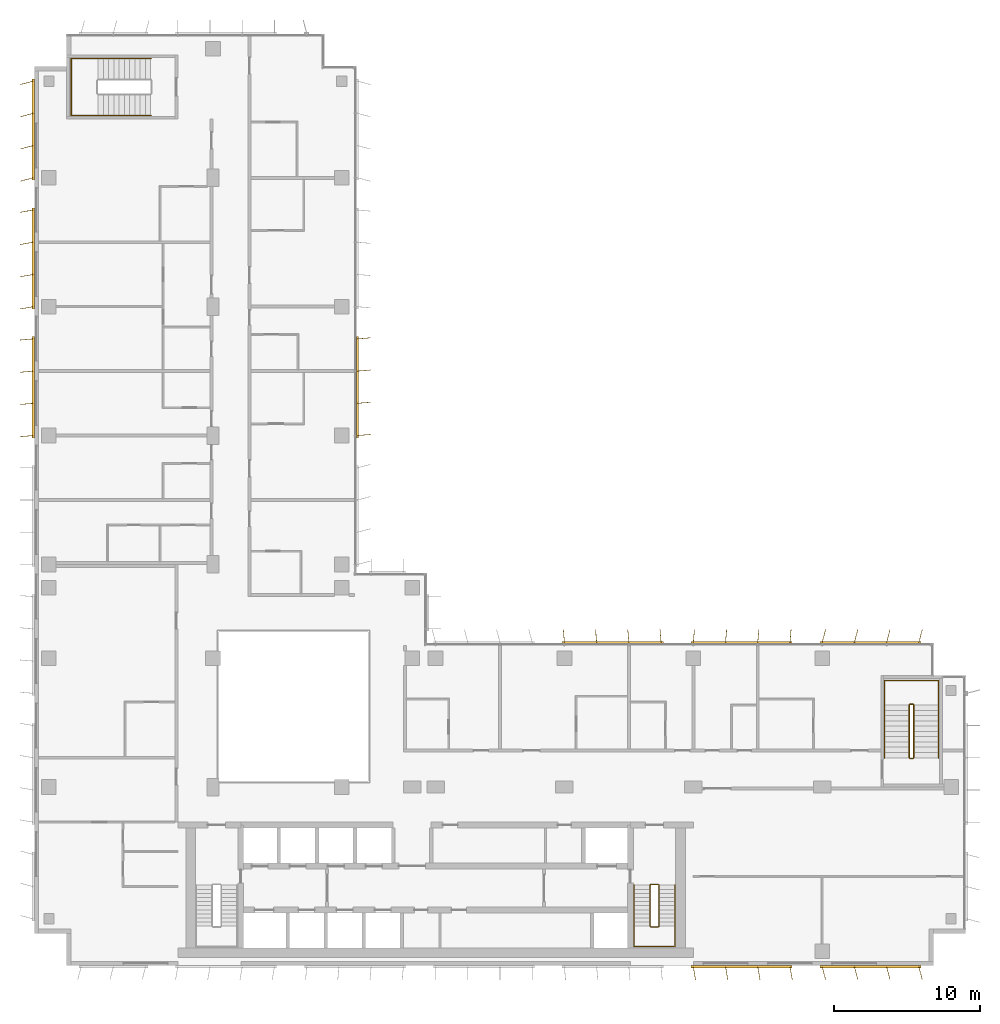
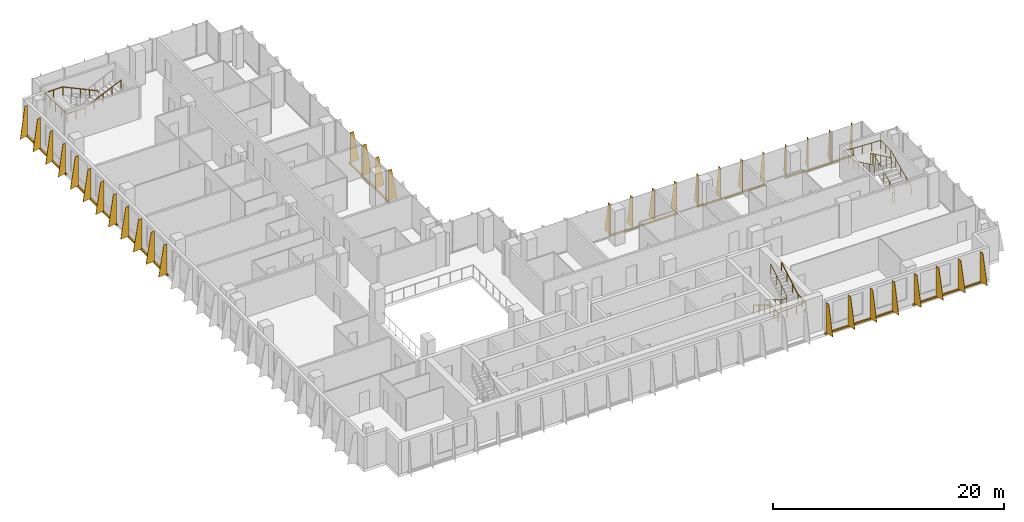
# One storey, part 20 of 21: 9 shading devices, 5 railings.
"""IFC4 building model written with IfcOpenShell, lengths in metres."""

from ifc_helpers import new_model, si_unit, direction, frame, origin, origin_2d, place, context, subcontext, project, spatial, polyline, rectangle, circle, outline, extrude, source, transform, mapped, material, layer, layer_set, type_object, element, save


model = new_model("IFC4")

# Units and contexts
model_context = context("Model", 3, precision=1e-05, world=origin(), true_north=direction((0.0, 1.0)))
body_context = subcontext(model_context, "Body", "Model", "MODEL_VIEW")
ifc_project = project(units=[si_unit("LENGTHUNIT", "METRE"), si_unit("AREAUNIT", "SQUARE_METRE"), si_unit("VOLUMEUNIT", "CUBIC_METRE"), si_unit("PLANEANGLEUNIT", "RADIAN"), si_unit("MASSUNIT", "GRAM", prefix="KILO")], contexts=[model_context])

# Site, building, storey
site_placement = place(None, origin())
site = spatial("IfcSite", under=ifc_project, at=site_placement, CompositionType="ELEMENT")
building_placement = place(site_placement, origin())
building = spatial("IfcBuilding", under=site, at=building_placement, Name="Kemantara Hotel Tower", CompositionType="ELEMENT")
storey_placement = place(building_placement, frame((0.0, 0.0, 179.0)))
storey = spatial("IfcBuildingStorey", under=building, at=storey_placement, Name="L44", CompositionType="ELEMENT", Elevation=179.0)

# Railings
ifc_material_1 = material(Name="Stainless steel balustrade", Category="steel")
railing_type_1 = type_object("IfcRailingType", Name="Stair guard 1100 mm", PredefinedType="GUARDRAIL", material=ifc_material_1)
railing_1_placement = place(storey_placement, frame((42.64990234375, 5.5, 3.699951171875)))
element("IfcRailing", 1, at=railing_1_placement, inside=storey, type_object=railing_type_1, Name="L44 ST2 stair guard 1", PredefinedType="GUARDRAIL", context=body_context, shape_type="SweptSolid", body=[
    extrude(circle(Radius=0.02392578125, at=origin_2d()), frame((0.0, 0.0, 1.076171875), z_axis=(0.0, -0.857242210791, -0.514913383045), x_axis=(1.0, 0.0, 0.0)), (0.0, 0.0, 1.0), 3.266357421875),
    extrude(circle(Radius=0.02392578125, at=origin_2d()), frame((0.0, -2.800048828125, -0.60595703125), z_axis=(-0.273343290215, -0.274683208305, -0.921863645432), x_axis=(0.708833529934, -0.705375805398, 0.0)), (0.0, 0.0, 1.0), 0.18212890625),
    extrude(circle(Radius=0.02392578125, at=origin_2d()), frame((-0.0498046875, -2.85009765625, -0.77392578125), z_axis=(-1.0, 0.0, 0.0), x_axis=(0.0, -1.0, 0.0)), (0.0, 0.0, 1.0), 0.5),
    extrude(circle(Radius=0.02392578125, at=origin_2d()), frame((-0.5498046875, -2.85009765625, -0.77392578125), z_axis=(-0.707106781187, 0.707106781187, 0.0), x_axis=(-0.707106781187, -0.707106781187, 0.0)), (0.0, 0.0, 1.0), 0.07080078125),
    extrude(circle(Radius=0.02392578125, at=origin_2d()), frame((-0.599853515625, -2.800048828125, -0.77392578125), z_axis=(0.0, 0.857242210791, -0.514913383045), x_axis=(-1.0, 0.0, 0.0)), (0.0, 0.0, 1.0), 3.266357421875),
    extrude(circle(Radius=0.02392578125, at=origin_2d()), frame((-0.599853515625, 0.0, -2.45556640625), z_axis=(0.274243871929, 0.274243871929, -0.92172696468), x_axis=(-0.707106781187, 0.707106781187, 0.0)), (0.0, 0.0, 1.0), 0.1826171875),
    extrude(circle(Radius=0.02392578125, at=origin_2d()), frame((-0.5498046875, 0.050048828125, -2.6240234375), z_axis=(1.0, 0.0, 0.0), x_axis=(0.0, 1.0, 0.0)), (0.0, 0.0, 1.0), 0.5),
    extrude(circle(Radius=0.02099609375, at=origin_2d()), origin(), (0.0, 0.0, 1.0), 1.052001953125),
    extrude(circle(Radius=0.02099609375, at=origin_2d()), frame((0.0, -0.933349609375, -0.560546875)), (0.0, 0.0, 1.0), 1.052001953125),
    extrude(circle(Radius=0.02099609375, at=origin_2d()), frame((0.0, -1.86669921875, -1.121337890625)), (0.0, 0.0, 1.0), 1.052001953125),
    extrude(circle(Radius=0.02099609375, at=origin_2d()), frame((0.0, -2.800048828125, -1.681884765625)), (0.0, 0.0, 1.0), 1.052001953125),
    extrude(circle(Radius=0.02099609375, at=origin_2d()), frame((-0.0498046875, -2.85009765625, -1.849853515625)), (0.0, 0.0, 1.0), 1.052001953125),
    extrude(circle(Radius=0.02099609375, at=origin_2d()), frame((-0.5498046875, -2.85009765625, -1.849853515625)), (0.0, 0.0, 1.0), 1.052001953125),
    extrude(circle(Radius=0.02099609375, at=origin_2d()), frame((-0.599853515625, -2.800048828125, -1.849853515625)), (0.0, 0.0, 1.0), 1.052001953125),
    extrude(circle(Radius=0.02099609375, at=origin_2d()), frame((-0.599853515625, -1.86669921875, -2.410400390625)), (0.0, 0.0, 1.0), 1.052001953125),
    extrude(circle(Radius=0.02099609375, at=origin_2d()), frame((-0.599853515625, -0.933349609375, -2.97119140625)), (0.0, 0.0, 1.0), 1.052001953125),
    extrude(circle(Radius=0.02099609375, at=origin_2d()), frame((-0.599853515625, 0.0, -3.53173828125)), (0.0, 0.0, 1.0), 1.052001953125),
    extrude(circle(Radius=0.02099609375, at=origin_2d()), frame((-0.5498046875, 0.050048828125, -3.699951171875)), (0.0, 0.0, 1.0), 1.052001953125),
    extrude(circle(Radius=0.02099609375, at=origin_2d()), frame((-0.0498046875, 0.050048828125, -3.699951171875)), (0.0, 0.0, 1.0), 1.052001953125),
])
railing_2_placement = place(storey_placement, frame((59.75, 14.199951171875, 3.699951171875)))
element("IfcRailing", 2, at=railing_2_placement, inside=storey, type_object=railing_type_1, Name="L44 ST3 stair guard 1", PredefinedType="GUARDRAIL", context=body_context, shape_type="SweptSolid", body=[
    extrude(circle(Radius=0.02392578125, at=origin_2d()), frame((0.0, 0.0, 1.076171875), z_axis=(0.0, 0.906005689286, -0.423265508849), x_axis=(-1.0, 0.0, 0.0)), (0.0, 0.0, 1.0), 3.9736328125),
    extrude(circle(Radius=0.02392578125, at=origin_2d()), frame((0.0, 3.60009765625, -0.60595703125), z_axis=(0.274582412415, 0.274582412415, -0.921525364591), x_axis=(-0.707106781187, 0.707106781187, 0.0)), (0.0, 0.0, 1.0), 0.182373046875),
    extrude(circle(Radius=0.02392578125, at=origin_2d()), frame((0.050048828125, 3.650146484375, -0.77392578125), z_axis=(1.0, 0.0, 0.0), x_axis=(0.0, 1.0, 0.0)), (0.0, 0.0, 1.0), 0.199951171875),
    extrude(circle(Radius=0.02392578125, at=origin_2d()), frame((0.25, 3.650146484375, -0.77392578125), z_axis=(0.707106781187, -0.707106781187, 0.0), x_axis=(0.707106781187, 0.707106781187, 0.0)), (0.0, 0.0, 1.0), 0.07080078125),
    extrude(circle(Radius=0.02392578125, at=origin_2d()), frame((0.300048828125, 3.60009765625, -0.77392578125), z_axis=(0.0, -0.906005689286, -0.423265508849), x_axis=(1.0, 0.0, 0.0)), (0.0, 0.0, 1.0), 3.9736328125),
    extrude(circle(Radius=0.02392578125, at=origin_2d()), frame((0.300048828125, 0.0, -2.45556640625), z_axis=(-0.274243871929, -0.274243871929, -0.92172696468), x_axis=(0.707106781187, -0.707106781187, 0.0)), (0.0, 0.0, 1.0), 0.1826171875),
    extrude(circle(Radius=0.02392578125, at=origin_2d()), frame((0.25, -0.050048828125, -2.6240234375), z_axis=(-1.0, 0.0, 0.0), x_axis=(0.0, -1.0, 0.0)), (0.0, 0.0, 1.0), 0.199951171875),
    extrude(circle(Radius=0.02099609375, at=origin_2d()), origin(), (0.0, 0.0, 1.0), 1.052001953125),
    extrude(circle(Radius=0.02099609375, at=origin_2d()), frame((0.0, 0.89990234375, -0.42041015625)), (0.0, 0.0, 1.0), 1.052001953125),
    extrude(circle(Radius=0.02099609375, at=origin_2d()), frame((0.0, 1.800048828125, -0.8408203125)), (0.0, 0.0, 1.0), 1.052001953125),
    extrude(circle(Radius=0.02099609375, at=origin_2d()), frame((0.0, 2.7001953125, -1.261474609375)), (0.0, 0.0, 1.0), 1.052001953125),
    extrude(circle(Radius=0.02099609375, at=origin_2d()), frame((0.0, 3.60009765625, -1.681884765625)), (0.0, 0.0, 1.0), 1.052001953125),
    extrude(circle(Radius=0.02099609375, at=origin_2d()), frame((0.050048828125, 3.650146484375, -1.849853515625)), (0.0, 0.0, 1.0), 1.052001953125),
    extrude(circle(Radius=0.02099609375, at=origin_2d()), frame((0.25, 3.650146484375, -1.849853515625)), (0.0, 0.0, 1.0), 1.052001953125),
    extrude(circle(Radius=0.02099609375, at=origin_2d()), frame((0.300048828125, 3.60009765625, -1.849853515625)), (0.0, 0.0, 1.0), 1.052001953125),
    extrude(circle(Radius=0.02099609375, at=origin_2d()), frame((0.300048828125, 2.7001953125, -2.270263671875)), (0.0, 0.0, 1.0), 1.052001953125),
    extrude(circle(Radius=0.02099609375, at=origin_2d()), frame((0.300048828125, 1.800048828125, -2.69091796875)), (0.0, 0.0, 1.0), 1.052001953125),
    extrude(circle(Radius=0.02099609375, at=origin_2d()), frame((0.300048828125, 0.89990234375, -3.111328125)), (0.0, 0.0, 1.0), 1.052001953125),
    extrude(circle(Radius=0.02099609375, at=origin_2d()), frame((0.300048828125, 0.0, -3.53173828125)), (0.0, 0.0, 1.0), 1.052001953125),
    extrude(circle(Radius=0.02099609375, at=origin_2d()), frame((0.25, -0.050048828125, -3.699951171875)), (0.0, 0.0, 1.0), 1.052001953125),
    extrude(circle(Radius=0.02099609375, at=origin_2d()), frame((0.050048828125, -0.050048828125, -3.699951171875)), (0.0, 0.0, 1.0), 1.052001953125),
])
railing_type_2 = type_object("IfcRailingType", Name="Stair handrail 900 mm", PredefinedType="HANDRAIL", material=ifc_material_1)
railing_3_placement = place(storey_placement, frame((40.949951171875, 5.5, 0.168212890625)))
element("IfcRailing", 3, at=railing_3_placement, inside=storey, type_object=railing_type_2, Name="L44 ST2 stair handrail 1", PredefinedType="HANDRAIL", context=body_context, shape_type="SweptSolid", body=[
    extrude(circle(Radius=0.02392578125, at=origin_2d()), frame((0.0, 0.0, 0.8759765625), z_axis=(0.0, -0.857242210791, 0.514913383045), x_axis=(1.0, 0.0, 0.0)), (0.0, 0.0, 1.0), 3.266357421875),
    extrude(circle(Radius=0.02392578125, at=origin_2d()), frame((0.0, -2.800048828125, 2.5576171875), z_axis=(0.0, -1.0, 0.0), x_axis=(1.0, 0.0, 0.0)), (0.0, 0.0, 1.0), 1.3798828125),
    extrude(circle(Radius=0.02392578125, at=origin_2d()), frame((0.0, -4.179931640625, 2.5576171875), z_axis=(0.998205573864, 0.0, 0.059880149518), x_axis=(0.0, 1.0, 0.0)), (0.0, 0.0, 1.0), 2.80517578125),
    extrude(circle(Radius=0.02392578125, at=origin_2d()), frame((2.800048828125, -4.179931640625, 2.7255859375), z_axis=(0.0, 1.0, 0.0), x_axis=(-1.0, 0.0, 0.0)), (0.0, 0.0, 1.0), 1.3798828125),
    extrude(circle(Radius=0.02392578125, at=origin_2d()), frame((2.800048828125, -2.800048828125, 2.7255859375), z_axis=(0.0, 0.857242210791, 0.514913383045), x_axis=(-1.0, 0.0, 0.0)), (0.0, 0.0, 1.0), 3.266357421875),
    extrude(circle(Radius=0.02099609375, at=origin_2d()), origin(), (0.0, 0.0, 1.0), 0.851806640625),
    extrude(circle(Radius=0.02099609375, at=origin_2d()), frame((0.0, -0.933349609375, 0.560546875)), (0.0, 0.0, 1.0), 0.851806640625),
    extrude(circle(Radius=0.02099609375, at=origin_2d()), frame((0.0, -1.86669921875, 1.121337890625)), (0.0, 0.0, 1.0), 0.851806640625),
    extrude(circle(Radius=0.02099609375, at=origin_2d()), frame((0.0, -2.800048828125, 1.681884765625)), (0.0, 0.0, 1.0), 0.851806640625),
    extrude(circle(Radius=0.02099609375, at=origin_2d()), frame((0.0, -3.489990234375, 1.681884765625)), (0.0, 0.0, 1.0), 0.851806640625),
    extrude(circle(Radius=0.02099609375, at=origin_2d()), frame((0.0, -4.179931640625, 1.681884765625)), (0.0, 0.0, 1.0), 0.851806640625),
    extrude(circle(Radius=0.02099609375, at=origin_2d()), frame((0.933349609375, -4.179931640625, 1.73779296875)), (0.0, 0.0, 1.0), 0.851806640625),
    extrude(circle(Radius=0.02099609375, at=origin_2d()), frame((1.86669921875, -4.179931640625, 1.7939453125)), (0.0, 0.0, 1.0), 0.851806640625),
    extrude(circle(Radius=0.02099609375, at=origin_2d()), frame((2.800048828125, -4.179931640625, 1.849853515625)), (0.0, 0.0, 1.0), 0.851806640625),
    extrude(circle(Radius=0.02099609375, at=origin_2d()), frame((2.800048828125, -3.489990234375, 1.849853515625)), (0.0, 0.0, 1.0), 0.851806640625),
    extrude(circle(Radius=0.02099609375, at=origin_2d()), frame((2.800048828125, -2.800048828125, 1.849853515625)), (0.0, 0.0, 1.0), 0.851806640625),
    extrude(circle(Radius=0.02099609375, at=origin_2d()), frame((2.800048828125, -1.86669921875, 2.410400390625)), (0.0, 0.0, 1.0), 0.851806640625),
    extrude(circle(Radius=0.02099609375, at=origin_2d()), frame((2.800048828125, -0.933349609375, 2.97119140625)), (0.0, 0.0, 1.0), 0.851806640625),
    extrude(circle(Radius=0.02099609375, at=origin_2d()), frame((2.800048828125, 0.0, 3.53173828125)), (0.0, 0.0, 1.0), 0.851806640625),
])
railing_4_placement = place(storey_placement, frame((61.75, 14.199951171875, 0.168212890625)))
element("IfcRailing", 4, at=railing_4_placement, inside=storey, type_object=railing_type_2, Name="L44 ST3 stair handrail 1", PredefinedType="HANDRAIL", context=body_context, shape_type="SweptSolid", body=[
    extrude(circle(Radius=0.02392578125, at=origin_2d()), frame((0.0, 0.0, 0.8759765625), z_axis=(0.0, 0.906005689286, 0.423265508849), x_axis=(-1.0, 0.0, 0.0)), (0.0, 0.0, 1.0), 3.9736328125),
    extrude(circle(Radius=0.02392578125, at=origin_2d()), frame((0.0, 3.60009765625, 2.5576171875), z_axis=(0.0, 1.0, 0.0), x_axis=(-1.0, 0.0, 0.0)), (0.0, 0.0, 1.0), 1.679931640625),
    extrude(circle(Radius=0.02392578125, at=origin_2d()), frame((0.0, 5.280029296875, 2.5576171875), z_axis=(-0.998971120908, 0.0, 0.045350849963), x_axis=(0.0, -1.0, 0.0)), (0.0, 0.0, 1.0), 3.703857421875),
    extrude(circle(Radius=0.02392578125, at=origin_2d()), frame((-3.699951171875, 5.280029296875, 2.7255859375), z_axis=(0.0, -1.0, 0.0), x_axis=(1.0, 0.0, 0.0)), (0.0, 0.0, 1.0), 1.679931640625),
    extrude(circle(Radius=0.02392578125, at=origin_2d()), frame((-3.699951171875, 3.60009765625, 2.7255859375), z_axis=(0.0, -0.906005689286, 0.423265508849), x_axis=(1.0, 0.0, 0.0)), (0.0, 0.0, 1.0), 3.9736328125),
    extrude(circle(Radius=0.02099609375, at=origin_2d()), origin(), (0.0, 0.0, 1.0), 0.851806640625),
    extrude(circle(Radius=0.02099609375, at=origin_2d()), frame((0.0, 0.89990234375, 0.42041015625)), (0.0, 0.0, 1.0), 0.851806640625),
    extrude(circle(Radius=0.02099609375, at=origin_2d()), frame((0.0, 1.800048828125, 0.8408203125)), (0.0, 0.0, 1.0), 0.851806640625),
    extrude(circle(Radius=0.02099609375, at=origin_2d()), frame((0.0, 2.7001953125, 1.261474609375)), (0.0, 0.0, 1.0), 0.851806640625),
    extrude(circle(Radius=0.02099609375, at=origin_2d()), frame((0.0, 3.60009765625, 1.681884765625)), (0.0, 0.0, 1.0), 0.851806640625),
    extrude(circle(Radius=0.02099609375, at=origin_2d()), frame((0.0, 4.43994140625, 1.681884765625)), (0.0, 0.0, 1.0), 0.851806640625),
    extrude(circle(Radius=0.02099609375, at=origin_2d()), frame((0.0, 5.280029296875, 1.681884765625)), (0.0, 0.0, 1.0), 0.851806640625),
    extrude(circle(Radius=0.02099609375, at=origin_2d()), frame((-0.925048828125, 5.280029296875, 1.723876953125)), (0.0, 0.0, 1.0), 0.851806640625),
    extrude(circle(Radius=0.02099609375, at=origin_2d()), frame((-1.85009765625, 5.280029296875, 1.765869140625)), (0.0, 0.0, 1.0), 0.851806640625),
    extrude(circle(Radius=0.02099609375, at=origin_2d()), frame((-2.77490234375, 5.280029296875, 1.807861328125)), (0.0, 0.0, 1.0), 0.851806640625),
    extrude(circle(Radius=0.02099609375, at=origin_2d()), frame((-3.699951171875, 5.280029296875, 1.849853515625)), (0.0, 0.0, 1.0), 0.851806640625),
    extrude(circle(Radius=0.02099609375, at=origin_2d()), frame((-3.699951171875, 4.43994140625, 1.849853515625)), (0.0, 0.0, 1.0), 0.851806640625),
    extrude(circle(Radius=0.02099609375, at=origin_2d()), frame((-3.699951171875, 3.60009765625, 1.849853515625)), (0.0, 0.0, 1.0), 0.851806640625),
    extrude(circle(Radius=0.02099609375, at=origin_2d()), frame((-3.699951171875, 2.7001953125, 2.270263671875)), (0.0, 0.0, 1.0), 0.851806640625),
    extrude(circle(Radius=0.02099609375, at=origin_2d()), frame((-3.699951171875, 1.800048828125, 2.69091796875)), (0.0, 0.0, 1.0), 0.851806640625),
    extrude(circle(Radius=0.02099609375, at=origin_2d()), frame((-3.699951171875, 0.89990234375, 3.111328125)), (0.0, 0.0, 1.0), 0.851806640625),
    extrude(circle(Radius=0.02099609375, at=origin_2d()), frame((-3.699951171875, 0.0, 3.53173828125)), (0.0, 0.0, 1.0), 0.851806640625),
])
railing_5_placement = place(storey_placement, frame((7.949951171875, 61.949951171875, 0.168212890625)))
element("IfcRailing", 5, at=railing_5_placement, inside=storey, type_object=railing_type_2, Name="L44 ST4 stair handrail 1", PredefinedType="HANDRAIL", context=body_context, shape_type="SweptSolid", body=[
    extrude(circle(Radius=0.02392578125, at=origin_2d()), frame((0.0, 0.0, 0.8759765625), z_axis=(-0.905994681025, 0.0, 0.423289071386), x_axis=(0.0, -1.0, 0.0)), (0.0, 0.0, 1.0), 3.973388671875),
    extrude(circle(Radius=0.02392578125, at=origin_2d()), frame((-3.599853515625, 0.0, 2.5576171875), z_axis=(-1.0, 0.0, 0.0), x_axis=(0.0, -1.0, 0.0)), (0.0, 0.0, 1.0), 1.830078125),
    extrude(circle(Radius=0.02392578125, at=origin_2d()), frame((-5.429931640625, 0.0, 2.5576171875), z_axis=(0.0, -0.999073776461, 0.043030096294), x_axis=(1.0, 0.0, 0.0)), (0.0, 0.0, 1.0), 3.903564453125),
    extrude(circle(Radius=0.02392578125, at=origin_2d()), frame((-5.429931640625, -3.89990234375, 2.7255859375), z_axis=(1.0, 0.0, 0.0), x_axis=(0.0, 1.0, 0.0)), (0.0, 0.0, 1.0), 1.830078125),
    extrude(circle(Radius=0.02392578125, at=origin_2d()), frame((-3.599853515625, -3.89990234375, 2.7255859375), z_axis=(0.905994681025, 0.0, 0.423289071386), x_axis=(0.0, 1.0, 0.0)), (0.0, 0.0, 1.0), 3.973388671875),
    extrude(circle(Radius=0.02099609375, at=origin_2d()), origin(), (0.0, 0.0, 1.0), 0.851806640625),
    extrude(circle(Radius=0.02099609375, at=origin_2d()), frame((-0.89990234375, 0.0, 0.42041015625)), (0.0, 0.0, 1.0), 0.851806640625),
    extrude(circle(Radius=0.02099609375, at=origin_2d()), frame((-1.7998046875, 0.0, 0.8408203125)), (0.0, 0.0, 1.0), 0.851806640625),
    extrude(circle(Radius=0.02099609375, at=origin_2d()), frame((-2.699951171875, 0.0, 1.261474609375)), (0.0, 0.0, 1.0), 0.851806640625),
    extrude(circle(Radius=0.02099609375, at=origin_2d()), frame((-3.599853515625, 0.0, 1.681884765625)), (0.0, 0.0, 1.0), 0.851806640625),
    extrude(circle(Radius=0.02099609375, at=origin_2d()), frame((-4.514892578125, 0.0, 1.681884765625)), (0.0, 0.0, 1.0), 0.851806640625),
    extrude(circle(Radius=0.02099609375, at=origin_2d()), frame((-5.429931640625, 0.0, 1.681884765625)), (0.0, 0.0, 1.0), 0.851806640625),
    extrude(circle(Radius=0.02099609375, at=origin_2d()), frame((-5.429931640625, -0.97509765625, 1.723876953125)), (0.0, 0.0, 1.0), 0.851806640625),
    extrude(circle(Radius=0.02099609375, at=origin_2d()), frame((-5.429931640625, -1.949951171875, 1.765869140625)), (0.0, 0.0, 1.0), 0.851806640625),
    extrude(circle(Radius=0.02099609375, at=origin_2d()), frame((-5.429931640625, -2.9248046875, 1.807861328125)), (0.0, 0.0, 1.0), 0.851806640625),
    extrude(circle(Radius=0.02099609375, at=origin_2d()), frame((-5.429931640625, -3.89990234375, 1.849853515625)), (0.0, 0.0, 1.0), 0.851806640625),
    extrude(circle(Radius=0.02099609375, at=origin_2d()), frame((-4.514892578125, -3.89990234375, 1.849853515625)), (0.0, 0.0, 1.0), 0.851806640625),
    extrude(circle(Radius=0.02099609375, at=origin_2d()), frame((-3.599853515625, -3.89990234375, 1.849853515625)), (0.0, 0.0, 1.0), 0.851806640625),
    extrude(circle(Radius=0.02099609375, at=origin_2d()), frame((-2.699951171875, -3.89990234375, 2.270263671875)), (0.0, 0.0, 1.0), 0.851806640625),
    extrude(circle(Radius=0.02099609375, at=origin_2d()), frame((-1.7998046875, -3.89990234375, 2.69091796875)), (0.0, 0.0, 1.0), 0.851806640625),
    extrude(circle(Radius=0.02099609375, at=origin_2d()), frame((-0.89990234375, -3.89990234375, 3.111328125)), (0.0, 0.0, 1.0), 0.851806640625),
    extrude(circle(Radius=0.02099609375, at=origin_2d()), frame((0.0, -3.89990234375, 3.53173828125)), (0.0, 0.0, 1.0), 0.851806640625),
])

# Shading devices
ifc_material_2 = material(Name="Perforated aluminium plate 4 mm bronze anodised", Category="aluminium")
ifc_layer_1 = layer(ifc_material_2, 0.0400390625)
ifc_layer_set_1 = layer_set([ifc_layer_1], Name="Perforated aluminium plate 4 mm bronze anodised")
shading_device_type_1 = type_object("IfcShadingDeviceType", Name="SCREEN FIN CASSETTE, 4 BLADES AT -5.0 DEG, 3200 HIGH", PredefinedType="USERDEFINED", material=ifc_layer_set_1)
shared_shape_1 = source(origin(), body_context, "Body", "SweptSolid", [
    extrude(rectangle(XDim=6.89990234375, YDim=0.14990234375, at=origin_2d()), frame((3.300048828125, -0.074951171875, -0.14990234375), z_axis=(0.0, 0.0, 1.0), x_axis=(1.0, 0.0, 0.0)), (0.0, 0.0, 1.0), 0.14990234375),
    extrude(outline(polyline([(0.0, 0.0), (0.89990234375, 0.0), (0.35009765625, 3.199951171875), (0.0, 3.199951171875), (0.0, 0.0)])), frame((0.02001953125, -0.07666015625, 0.0), z_axis=(-0.996376129781, 0.085056498884, 0.0), x_axis=(-0.085056498884, -0.996376129781, 0.0)), (0.0, 0.0, 1.0), 0.040283203125),
    extrude(outline(polyline([(0.0, 0.0), (0.89990234375, 0.0), (0.35009765625, 3.199951171875), (0.0, 3.199951171875), (0.0, 0.0)])), frame((2.219970703125, -0.07666015625, 0.0), z_axis=(-0.996331773833, 0.085574508182, 0.0), x_axis=(-0.085574508182, -0.996331773833, 0.0)), (0.0, 0.0, 1.0), 0.0400390625),
    extrude(outline(polyline([(0.0, 0.0), (0.89990234375, 0.0), (0.35009765625, 3.199951171875), (0.0, 3.199951171875), (0.0, 0.0)])), frame((4.419921875, -0.07666015625, 0.0), z_axis=(-0.996331773833, 0.085574508182, 0.0), x_axis=(-0.085574508182, -0.996331773833, 0.0)), (0.0, 0.0, 1.0), 0.0400390625),
    extrude(outline(polyline([(0.0, 0.0), (0.89990234375, 0.0), (0.35009765625, 3.199951171875), (0.0, 3.199951171875), (0.0, 0.0)])), frame((6.619873046875, -0.07666015625, 0.0), z_axis=(-0.996331773833, 0.085574508182, 0.0), x_axis=(-0.085574508182, -0.996331773833, 0.0)), (0.0, 0.0, 1.0), 0.0400390625),
])
shading_device_1_placement = place(storey_placement, frame((51.60009765625, 22.0, 0.10009765625), z_axis=(0.0, 0.0, 1.0), x_axis=(-1.0, 0.0, 0.0)))
element("IfcShadingDevice", 6, at=shading_device_1_placement, inside=storey, type_object=shading_device_type_1, Name="SCREEN FIN CASSETTE L44 T3-R14-2", ObjectType="SCREEN FIN", PredefinedType="USERDEFINED", context=body_context, shape_type="MappedRepresentation", body=[
    mapped(shared_shape_1, transform((0.0, 0.0, 0.0))),
])
ifc_layer_2 = layer(ifc_material_2, 0.0400390625)
ifc_layer_set_2 = layer_set([ifc_layer_2], Name="Perforated aluminium plate 4 mm bronze anodised")
shading_device_type_2 = type_object("IfcShadingDeviceType", Name="SCREEN FIN CASSETTE, 4 BLADES AT +5.0 DEG, 3200 HIGH", PredefinedType="USERDEFINED", material=ifc_layer_set_2)
shared_shape_2 = source(origin(), body_context, "Body", "SweptSolid", [
    extrude(rectangle(XDim=6.89990234375, YDim=0.14990234375, at=origin_2d()), frame((3.300048828125, -0.074951171875, -0.14990234375), z_axis=(0.0, 0.0, 1.0), x_axis=(1.0, 0.0, 0.0)), (0.0, 0.0, 1.0), 0.14990234375),
    extrude(outline(polyline([(0.0, 0.0), (0.89990234375, 0.0), (0.35009765625, 3.199951171875), (0.0, 3.199951171875), (0.0, 0.0)])), frame((0.02001953125, -0.0732421875, 0.0), z_axis=(-0.996376129781, -0.085056498884, 0.0), x_axis=(0.085056498884, -0.996376129781, 0.0)), (0.0, 0.0, 1.0), 0.040283203125),
    extrude(outline(polyline([(0.0, 0.0), (0.89990234375, 0.0), (0.35009765625, 3.199951171875), (0.0, 3.199951171875), (0.0, 0.0)])), frame((2.219970703125, -0.0732421875, 0.0), z_axis=(-0.996331773833, -0.085574508182, 0.0), x_axis=(0.085574508182, -0.996331773833, 0.0)), (0.0, 0.0, 1.0), 0.0400390625),
    extrude(outline(polyline([(0.0, 0.0), (0.89990234375, 0.0), (0.35009765625, 3.199951171875), (0.0, 3.199951171875), (0.0, 0.0)])), frame((4.419921875, -0.0732421875, 0.0), z_axis=(-0.996331773833, -0.085574508182, 0.0), x_axis=(0.085574508182, -0.996331773833, 0.0)), (0.0, 0.0, 1.0), 0.0400390625),
    extrude(outline(polyline([(0.0, 0.0), (0.89990234375, 0.0), (0.35009765625, 3.199951171875), (0.0, 3.199951171875), (0.0, 0.0)])), frame((6.619873046875, -0.0732421875, 0.0), z_axis=(-0.996331773833, -0.085574508182, 0.0), x_axis=(0.085574508182, -0.996331773833, 0.0)), (0.0, 0.0, 1.0), 0.0400390625),
])
for number, where, z_axis, x_axis, name in (
    (7, (0.0, 42.800048828125, 0.10009765625), (0.0, 0.0, 1.0), (0.0, -1.0, 0.0), "SCREEN FIN CASSETTE L44 T3-R05-3"),
    (8, (42.800048828125, 22.0, 0.10009765625), (0.0, 0.0, 1.0), (-1.0, 0.0, 0.0), "SCREEN FIN CASSETTE L44 T3-R14-3"),
    (9, (22.0, 36.199951171875, 0.10009765625), (0.0, 0.0, 1.0), (0.0, 1.0, 0.0), "SCREEN FIN CASSETTE L44 T3-R17-2"),
):
    element("IfcShadingDevice", number, at=place(storey_placement, frame(where, z_axis=z_axis, x_axis=x_axis)), inside=storey, type_object=shading_device_type_2, Name=name, ObjectType="SCREEN FIN", PredefinedType="USERDEFINED", context=body_context, shape_type="MappedRepresentation", body=[
        mapped(shared_shape_2, transform((0.0, 0.0, 0.0))),
    ])
ifc_layer_3 = layer(ifc_material_2, 0.0400390625)
ifc_layer_set_3 = layer_set([ifc_layer_3], Name="Perforated aluminium plate 4 mm bronze anodised")
shading_device_type_3 = type_object("IfcShadingDeviceType", Name="SCREEN FIN CASSETTE, 4 BLADES AT +10.0 DEG, 3200 HIGH", PredefinedType="USERDEFINED", material=ifc_layer_set_3)
shared_shape_3 = source(origin(), body_context, "Body", "SweptSolid", [
    extrude(rectangle(XDim=6.89990234375, YDim=0.14990234375, at=origin_2d()), frame((3.300048828125, -0.074951171875, -0.14990234375), z_axis=(0.0, 0.0, 1.0), x_axis=(1.0, 0.0, 0.0)), (0.0, 0.0, 1.0), 0.14990234375),
    extrude(outline(polyline([(0.0, 0.0), (0.89990234375, 0.0), (0.35009765625, 3.199951171875), (0.0, 3.199951171875), (0.0, 0.0)])), frame((0.019775390625, -0.071533203125, 0.0), z_axis=(-0.985389793052, -0.170314285219, 0.0), x_axis=(0.170314285219, -0.985389793052, 0.0)), (0.0, 0.0, 1.0), 0.0400390625),
    extrude(outline(polyline([(0.0, 0.0), (0.89990234375, 0.0), (0.35009765625, 3.199951171875), (0.0, 3.199951171875), (0.0, 0.0)])), frame((2.2197265625, -0.071533203125, 0.0), z_axis=(-0.98521175482, -0.171341174751, 0.0), x_axis=(0.171341174751, -0.98521175482, 0.0)), (0.0, 0.0, 1.0), 0.039794921875),
    extrude(outline(polyline([(0.0, 0.0), (0.89990234375, 0.0), (0.35009765625, 3.199951171875), (0.0, 3.199951171875), (0.0, 0.0)])), frame((4.419677734375, -0.071533203125, 0.0), z_axis=(-0.98521175482, -0.171341174751, 0.0), x_axis=(0.171341174751, -0.98521175482, 0.0)), (0.0, 0.0, 1.0), 0.039794921875),
    extrude(outline(polyline([(0.0, 0.0), (0.89990234375, 0.0), (0.35009765625, 3.199951171875), (0.0, 3.199951171875), (0.0, 0.0)])), frame((6.61962890625, -0.071533203125, 0.0), z_axis=(-0.98521175482, -0.171341174751, 0.0), x_axis=(0.171341174751, -0.98521175482, 0.0)), (0.0, 0.0, 1.0), 0.039794921875),
])
for number, where, z_axis, x_axis, name in (
    (10, (0.0, 51.60009765625, 0.10009765625), (0.0, 0.0, 1.0), (0.0, -1.0, 0.0), "SCREEN FIN CASSETTE L44 T3-R05-2"),
    (11, (45.0, 0.0, 0.10009765625), (0.0, 0.0, 1.0), (1.0, 0.0, 0.0), "SCREEN FIN CASSETTE L44 T3-R08-6"),
):
    element("IfcShadingDevice", number, at=place(storey_placement, frame(where, z_axis=z_axis, x_axis=x_axis)), inside=storey, type_object=shading_device_type_3, Name=name, ObjectType="SCREEN FIN", PredefinedType="USERDEFINED", context=body_context, shape_type="MappedRepresentation", body=[
        mapped(shared_shape_3, transform((0.0, 0.0, 0.0))),
    ])
ifc_layer_4 = layer(ifc_material_2, 0.0400390625)
ifc_layer_set_4 = layer_set([ifc_layer_4], Name="Perforated aluminium plate 4 mm bronze anodised")
shading_device_type_4 = type_object("IfcShadingDeviceType", Name="SCREEN FIN CASSETTE, 4 BLADES AT +15.0 DEG, 3200 HIGH", PredefinedType="USERDEFINED", material=ifc_layer_set_4)
shared_shape_4 = source(origin(), body_context, "Body", "SweptSolid", [
    extrude(rectangle(XDim=6.89990234375, YDim=0.14990234375, at=origin_2d()), frame((3.300048828125, -0.074951171875, -0.14990234375), z_axis=(0.0, 0.0, 1.0), x_axis=(1.0, 0.0, 0.0)), (0.0, 0.0, 1.0), 0.14990234375),
    extrude(outline(polyline([(0.0, 0.0), (0.89990234375, 0.0), (0.35009765625, 3.199951171875), (0.0, 3.199951171875), (0.0, 0.0)])), frame((0.019287109375, -0.06982421875, 0.0), z_axis=(-0.966437683387, -0.256901156343, 0.0), x_axis=(0.256901156343, -0.966437683387, 0.0)), (0.0, 0.0, 1.0), 0.039794921875),
    extrude(outline(polyline([(0.0, 0.0), (0.89990234375, 0.0), (0.35009765625, 3.199951171875), (0.0, 3.199951171875), (0.0, 0.0)])), frame((2.21923828125, -0.06982421875, 0.0), z_axis=(-0.966437683387, -0.256901156343, 0.0), x_axis=(0.256901156343, -0.966437683387, 0.0)), (0.0, 0.0, 1.0), 0.039794921875),
    extrude(outline(polyline([(0.0, 0.0), (0.89990234375, 0.0), (0.35009765625, 3.199951171875), (0.0, 3.199951171875), (0.0, 0.0)])), frame((4.41943359375, -0.06982421875, 0.0), z_axis=(-0.966837822169, -0.255391122837, 0.0), x_axis=(0.255391122837, -0.966837822169, 0.0)), (0.0, 0.0, 1.0), 0.0400390625),
    extrude(outline(polyline([(0.0, 0.0), (0.89990234375, 0.0), (0.35009765625, 3.199951171875), (0.0, 3.199951171875), (0.0, 0.0)])), frame((6.619384765625, -0.06982421875, 0.0), z_axis=(-0.966837822169, -0.255391122837, 0.0), x_axis=(0.255391122837, -0.966837822169, 0.0)), (0.0, 0.0, 1.0), 0.0400390625),
])
for number, where, z_axis, x_axis, name in (
    (12, (0.0, 60.39990234375, 0.10009765625), (0.0, 0.0, 1.0), (0.0, -1.0, 0.0), "SCREEN FIN CASSETTE L44 T3-R05-1"),
    (13, (53.800048828125, 0.0, 0.10009765625), (0.0, 0.0, 1.0), (1.0, 0.0, 0.0), "SCREEN FIN CASSETTE L44 T3-R08-7"),
):
    element("IfcShadingDevice", number, at=place(storey_placement, frame(where, z_axis=z_axis, x_axis=x_axis)), inside=storey, type_object=shading_device_type_4, Name=name, ObjectType="SCREEN FIN", PredefinedType="USERDEFINED", context=body_context, shape_type="MappedRepresentation", body=[
        mapped(shared_shape_4, transform((0.0, 0.0, 0.0))),
    ])
ifc_layer_5 = layer(ifc_material_2, 0.0400390625)
ifc_layer_set_5 = layer_set([ifc_layer_5], Name="Perforated aluminium plate 4 mm bronze anodised")
shading_device_type_5 = type_object("IfcShadingDeviceType", Name="SCREEN FIN CASSETTE, 4 BLADES AT -15.0 DEG, 3200 HIGH", PredefinedType="USERDEFINED", material=ifc_layer_set_5)
shared_shape_5 = source(origin(), body_context, "Body", "SweptSolid", [
    extrude(rectangle(XDim=6.89990234375, YDim=0.14990234375, at=origin_2d()), frame((3.300048828125, -0.074951171875, -0.14990234375), z_axis=(0.0, 0.0, 1.0), x_axis=(1.0, 0.0, 0.0)), (0.0, 0.0, 1.0), 0.14990234375),
    extrude(outline(polyline([(0.0, 0.0), (0.89990234375, 0.0), (0.35009765625, 3.199951171875), (0.0, 3.199951171875), (0.0, 0.0)])), frame((0.019287109375, -0.080078125, 0.0), z_axis=(-0.966437683387, 0.256901156343, 0.0), x_axis=(-0.256901156343, -0.966437683387, 0.0)), (0.0, 0.0, 1.0), 0.039794921875),
    extrude(outline(polyline([(0.0, 0.0), (0.89990234375, 0.0), (0.35009765625, 3.199951171875), (0.0, 3.199951171875), (0.0, 0.0)])), frame((2.21923828125, -0.080078125, 0.0), z_axis=(-0.966437683387, 0.256901156343, 0.0), x_axis=(-0.256901156343, -0.966437683387, 0.0)), (0.0, 0.0, 1.0), 0.039794921875),
    extrude(outline(polyline([(0.0, 0.0), (0.89990234375, 0.0), (0.35009765625, 3.199951171875), (0.0, 3.199951171875), (0.0, 0.0)])), frame((4.41943359375, -0.080078125, 0.0), z_axis=(-0.966837822169, 0.255391122837, 0.0), x_axis=(-0.255391122837, -0.966837822169, 0.0)), (0.0, 0.0, 1.0), 0.0400390625),
    extrude(outline(polyline([(0.0, 0.0), (0.89990234375, 0.0), (0.35009765625, 3.199951171875), (0.0, 3.199951171875), (0.0, 0.0)])), frame((6.619384765625, -0.080078125, 0.0), z_axis=(-0.966837822169, 0.255391122837, 0.0), x_axis=(-0.255391122837, -0.966837822169, 0.0)), (0.0, 0.0, 1.0), 0.0400390625),
])
shading_device_2_placement = place(storey_placement, frame((60.39990234375, 22.0, 0.10009765625), z_axis=(0.0, 0.0, 1.0), x_axis=(-1.0, 0.0, 0.0)))
element("IfcShadingDevice", 14, at=shading_device_2_placement, inside=storey, type_object=shading_device_type_5, Name="SCREEN FIN CASSETTE L44 T3-R14-1", ObjectType="SCREEN FIN", PredefinedType="USERDEFINED", context=body_context, shape_type="MappedRepresentation", body=[
    mapped(shared_shape_5, transform((0.0, 0.0, 0.0))),
])

save(model, "model.ifc")
